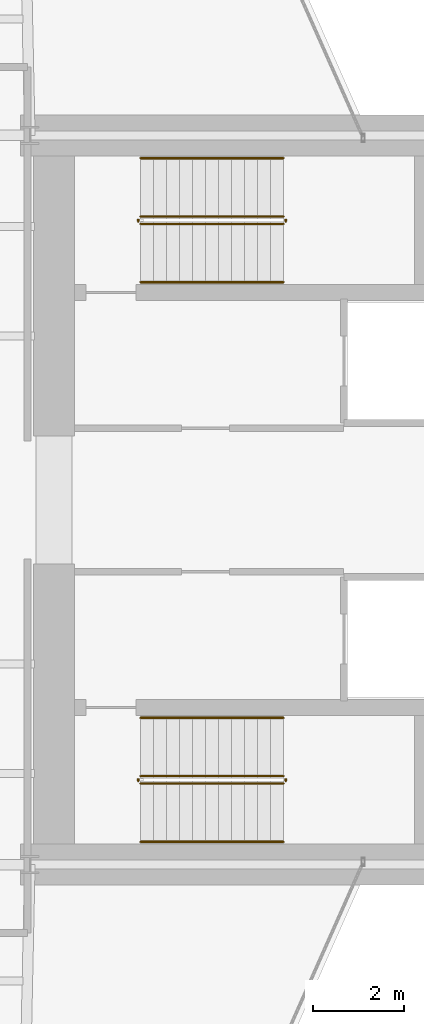
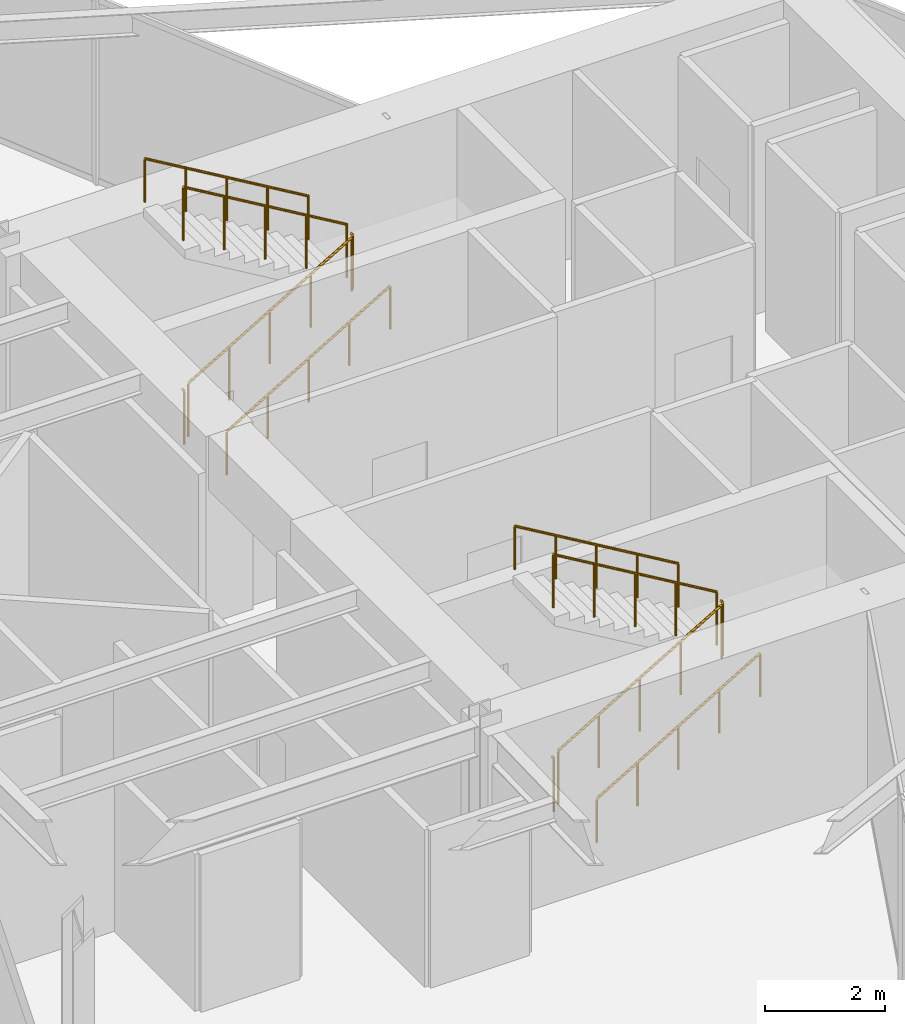
# One storey, part 24 of 24: 12 railings.
"""IFC4 building model written with IfcOpenShell, lengths in metres."""

from ifc_helpers import new_model, si_unit, direction, frame, origin, origin_2d, place, context, subcontext, project, spatial, circle, extrude, material, type_object, element, save


model = new_model("IFC4")

# Units and contexts
model_context = context("Model", 3, precision=1e-05, world=origin(), true_north=direction((0.0, 1.0)))
body_context = subcontext(model_context, "Body", "Model", "MODEL_VIEW")
ifc_project = project(units=[si_unit("LENGTHUNIT", "METRE"), si_unit("AREAUNIT", "SQUARE_METRE"), si_unit("VOLUMEUNIT", "CUBIC_METRE"), si_unit("PLANEANGLEUNIT", "RADIAN"), si_unit("MASSUNIT", "GRAM", prefix="KILO")], contexts=[model_context])

# Site, building, storey
site_placement = place(None, origin())
site = spatial("IfcSite", under=ifc_project, at=site_placement, CompositionType="ELEMENT")
building_placement = place(site_placement, origin())
building = spatial("IfcBuilding", under=site, at=building_placement, Name="Veymaron Broadcast Tower", CompositionType="ELEMENT")
storey_placement = place(building_placement, frame((0.0, 0.0, 98.550048828125)))
storey = spatial("IfcBuildingStorey", under=building, at=storey_placement, Name="L22", CompositionType="ELEMENT", Elevation=98.550048828125)

# Railings
ifc_material_1 = material(Name="Brushed stainless steel AISI 304", Category="steel")
railing_type_1 = type_object("IfcRailingType", Name="RAIL-STAIR-HR", PredefinedType="HANDRAIL", material=ifc_material_1)
railing_1_placement = place(storey_placement, frame((41.429931640625, 28.780029296875, 0.168701171875)))
element("IfcRailing", 1, at=railing_1_placement, inside=storey, type_object=railing_type_1, Name="L22 ST1 stair handrail 1", PredefinedType="HANDRAIL", context=body_context, shape_type="SweptSolid", body=[
    extrude(circle(Radius=0.02392578125, at=origin_2d()), frame((0.0, 0.0, 0.8759765625), z_axis=(0.860481960309, 0.0, 0.509480908359), x_axis=(0.0, 1.0, 0.0)), (0.0, 0.0, 1.0), 3.643310546875),
    extrude(circle(Radius=0.02099609375, at=origin_2d()), origin(), (0.0, 0.0, 1.0), 0.851806640625),
    extrude(circle(Radius=0.02099609375, at=origin_2d()), frame((0.78369140625, 0.0, 0.464111328125)), (0.0, 0.0, 1.0), 0.851806640625),
    extrude(circle(Radius=0.02099609375, at=origin_2d()), frame((1.5673828125, 0.0, 0.92822265625)), (0.0, 0.0, 1.0), 0.851806640625),
    extrude(circle(Radius=0.02099609375, at=origin_2d()), frame((2.351318359375, 0.0, 1.39208984375)), (0.0, 0.0, 1.0), 0.851806640625),
    extrude(circle(Radius=0.02099609375, at=origin_2d()), frame((3.135009765625, 0.0, 1.856201171875)), (0.0, 0.0, 1.0), 0.851806640625),
])
railing_2_placement = place(storey_placement, frame((44.56494140625, 31.5, 2.193603515625)))
element("IfcRailing", 2, at=railing_2_placement, inside=storey, type_object=railing_type_1, Name="L22 ST1 stair handrail 2", PredefinedType="HANDRAIL", context=body_context, shape_type="SweptSolid", body=[
    extrude(circle(Radius=0.02392578125, at=origin_2d()), frame((0.0, 0.0, 0.8759765625), z_axis=(-0.860452582533, 0.0, 0.509530522356), x_axis=(0.0, -1.0, 0.0)), (0.0, 0.0, 1.0), 3.6435546875),
    extrude(circle(Radius=0.02099609375, at=origin_2d()), origin(), (0.0, 0.0, 1.0), 0.851806640625),
    extrude(circle(Radius=0.02099609375, at=origin_2d()), frame((-0.78369140625, 0.0, 0.464111328125)), (0.0, 0.0, 1.0), 0.851806640625),
    extrude(circle(Radius=0.02099609375, at=origin_2d()), frame((-1.5673828125, 0.0, 0.92822265625)), (0.0, 0.0, 1.0), 0.851806640625),
    extrude(circle(Radius=0.02099609375, at=origin_2d()), frame((-2.351318359375, 0.0, 1.392333984375)), (0.0, 0.0, 1.0), 0.851806640625),
    extrude(circle(Radius=0.02099609375, at=origin_2d()), frame((-3.135009765625, 0.0, 1.8564453125)), (0.0, 0.0, 1.0), 0.851806640625),
])
railing_3_placement = place(storey_placement, frame((41.429931640625, 16.5, 0.168701171875)))
element("IfcRailing", 3, at=railing_3_placement, inside=storey, type_object=railing_type_1, Name="L22 ST2 stair handrail 1", PredefinedType="HANDRAIL", context=body_context, shape_type="SweptSolid", body=[
    extrude(circle(Radius=0.02392578125, at=origin_2d()), frame((0.0, 0.0, 0.8759765625), z_axis=(0.860481960309, 0.0, 0.509480908359), x_axis=(0.0, 1.0, 0.0)), (0.0, 0.0, 1.0), 3.643310546875),
    extrude(circle(Radius=0.02099609375, at=origin_2d()), origin(), (0.0, 0.0, 1.0), 0.851806640625),
    extrude(circle(Radius=0.02099609375, at=origin_2d()), frame((0.78369140625, 0.0, 0.464111328125)), (0.0, 0.0, 1.0), 0.851806640625),
    extrude(circle(Radius=0.02099609375, at=origin_2d()), frame((1.5673828125, 0.0, 0.92822265625)), (0.0, 0.0, 1.0), 0.851806640625),
    extrude(circle(Radius=0.02099609375, at=origin_2d()), frame((2.351318359375, 0.0, 1.39208984375)), (0.0, 0.0, 1.0), 0.851806640625),
    extrude(circle(Radius=0.02099609375, at=origin_2d()), frame((3.135009765625, 0.0, 1.856201171875)), (0.0, 0.0, 1.0), 0.851806640625),
])
railing_4_placement = place(storey_placement, frame((44.56494140625, 19.219970703125, 2.193603515625)))
element("IfcRailing", 4, at=railing_4_placement, inside=storey, type_object=railing_type_1, Name="L22 ST2 stair handrail 2", PredefinedType="HANDRAIL", context=body_context, shape_type="SweptSolid", body=[
    extrude(circle(Radius=0.02392578125, at=origin_2d()), frame((0.0, 0.0, 0.8759765625), z_axis=(-0.860452582533, 0.0, 0.509530522356), x_axis=(0.0, -1.0, 0.0)), (0.0, 0.0, 1.0), 3.6435546875),
    extrude(circle(Radius=0.02099609375, at=origin_2d()), origin(), (0.0, 0.0, 1.0), 0.851806640625),
    extrude(circle(Radius=0.02099609375, at=origin_2d()), frame((-0.78369140625, 0.0, 0.464111328125)), (0.0, 0.0, 1.0), 0.851806640625),
    extrude(circle(Radius=0.02099609375, at=origin_2d()), frame((-1.5673828125, 0.0, 0.92822265625)), (0.0, 0.0, 1.0), 0.851806640625),
    extrude(circle(Radius=0.02099609375, at=origin_2d()), frame((-2.351318359375, 0.0, 1.392333984375)), (0.0, 0.0, 1.0), 0.851806640625),
    extrude(circle(Radius=0.02099609375, at=origin_2d()), frame((-3.135009765625, 0.0, 1.8564453125)), (0.0, 0.0, 1.0), 0.851806640625),
])
ifc_material_2 = material(Name="Painted galvanized steel balustrade", Category="steel")
railing_type_2 = type_object("IfcRailingType", Name="RAIL-WELL-GRD", PredefinedType="GUARDRAIL", material=ifc_material_2)
railing_5_placement = place(storey_placement, frame((41.429931640625, 30.06005859375, 0.168701171875)))
element("IfcRailing", 5, at=railing_5_placement, inside=storey, type_object=railing_type_2, Name="L22 ST1 stair guard 1", PredefinedType="GUARDRAIL", context=body_context, shape_type="SweptSolid", body=[
    extrude(circle(Radius=0.02392578125, at=origin_2d()), frame((0.0, 0.0, 1.076171875), z_axis=(0.860481960309, 0.0, 0.509480908359), x_axis=(0.0, 1.0, 0.0)), (0.0, 0.0, 1.0), 3.643310546875),
    extrude(circle(Radius=0.02099609375, at=origin_2d()), origin(), (0.0, 0.0, 1.0), 1.052001953125),
    extrude(circle(Radius=0.02099609375, at=origin_2d()), frame((0.78369140625, 0.0, 0.464111328125)), (0.0, 0.0, 1.0), 1.052001953125),
    extrude(circle(Radius=0.02099609375, at=origin_2d()), frame((1.5673828125, 0.0, 0.92822265625)), (0.0, 0.0, 1.0), 1.052001953125),
    extrude(circle(Radius=0.02099609375, at=origin_2d()), frame((2.351318359375, 0.0, 1.39208984375)), (0.0, 0.0, 1.0), 1.052001953125),
    extrude(circle(Radius=0.02099609375, at=origin_2d()), frame((3.135009765625, 0.0, 1.856201171875)), (0.0, 0.0, 1.0), 1.052001953125),
])
railing_6_placement = place(storey_placement, frame((44.614990234375, 30.110107421875, 2.02490234375)))
element("IfcRailing", 6, at=railing_6_placement, inside=storey, type_object=railing_type_2, Name="L22 ST1 stair guard 2", PredefinedType="GUARDRAIL", context=body_context, shape_type="SweptSolid", body=[
    extrude(circle(Radius=0.02392578125, at=origin_2d()), frame((0.0, 0.0, 1.076171875), z_axis=(0.0, 1.0, 0.0), x_axis=(-1.0, 0.0, 0.0)), (0.0, 0.0, 1.0), 0.059814453125),
    extrude(circle(Radius=0.02099609375, at=origin_2d()), origin(), (0.0, 0.0, 1.0), 1.052001953125),
])
railing_7_placement = place(storey_placement, frame((44.56494140625, 30.219970703125, 2.193603515625)))
element("IfcRailing", 7, at=railing_7_placement, inside=storey, type_object=railing_type_2, Name="L22 ST1 stair guard 3", PredefinedType="GUARDRAIL", context=body_context, shape_type="SweptSolid", body=[
    extrude(circle(Radius=0.02392578125, at=origin_2d()), frame((0.0, 0.0, 1.076171875), z_axis=(-0.860452582533, 0.0, 0.509530522356), x_axis=(0.0, -1.0, 0.0)), (0.0, 0.0, 1.0), 3.6435546875),
    extrude(circle(Radius=0.02099609375, at=origin_2d()), origin(), (0.0, 0.0, 1.0), 1.052001953125),
    extrude(circle(Radius=0.02099609375, at=origin_2d()), frame((-0.78369140625, 0.0, 0.464111328125)), (0.0, 0.0, 1.0), 1.052001953125),
    extrude(circle(Radius=0.02099609375, at=origin_2d()), frame((-1.5673828125, 0.0, 0.92822265625)), (0.0, 0.0, 1.0), 1.052001953125),
    extrude(circle(Radius=0.02099609375, at=origin_2d()), frame((-2.351318359375, 0.0, 1.392333984375)), (0.0, 0.0, 1.0), 1.052001953125),
    extrude(circle(Radius=0.02099609375, at=origin_2d()), frame((-3.135009765625, 0.0, 1.8564453125)), (0.0, 0.0, 1.0), 1.052001953125),
])
railing_8_placement = place(storey_placement, frame((41.3798828125, 30.110107421875, 0.0)))
element("IfcRailing", 8, at=railing_8_placement, inside=storey, type_object=railing_type_2, Name="L22 ST1 stair guard 4", PredefinedType="GUARDRAIL", context=body_context, shape_type="SweptSolid", body=[
    extrude(circle(Radius=0.02392578125, at=origin_2d()), frame((0.0, 0.0, 1.076171875), z_axis=(0.0, 1.0, 0.0), x_axis=(-1.0, 0.0, 0.0)), (0.0, 0.0, 1.0), 0.059814453125),
    extrude(circle(Radius=0.02099609375, at=origin_2d()), origin(), (0.0, 0.0, 1.0), 1.052001953125),
])
railing_9_placement = place(storey_placement, frame((41.429931640625, 17.780029296875, 0.168701171875)))
element("IfcRailing", 9, at=railing_9_placement, inside=storey, type_object=railing_type_2, Name="L22 ST2 stair guard 1", PredefinedType="GUARDRAIL", context=body_context, shape_type="SweptSolid", body=[
    extrude(circle(Radius=0.02392578125, at=origin_2d()), frame((0.0, 0.0, 1.076171875), z_axis=(0.860481960309, 0.0, 0.509480908359), x_axis=(0.0, 1.0, 0.0)), (0.0, 0.0, 1.0), 3.643310546875),
    extrude(circle(Radius=0.02099609375, at=origin_2d()), origin(), (0.0, 0.0, 1.0), 1.052001953125),
    extrude(circle(Radius=0.02099609375, at=origin_2d()), frame((0.78369140625, 0.0, 0.464111328125)), (0.0, 0.0, 1.0), 1.052001953125),
    extrude(circle(Radius=0.02099609375, at=origin_2d()), frame((1.5673828125, 0.0, 0.92822265625)), (0.0, 0.0, 1.0), 1.052001953125),
    extrude(circle(Radius=0.02099609375, at=origin_2d()), frame((2.351318359375, 0.0, 1.39208984375)), (0.0, 0.0, 1.0), 1.052001953125),
    extrude(circle(Radius=0.02099609375, at=origin_2d()), frame((3.135009765625, 0.0, 1.856201171875)), (0.0, 0.0, 1.0), 1.052001953125),
])
railing_10_placement = place(storey_placement, frame((44.614990234375, 17.830078125, 2.02490234375)))
element("IfcRailing", 10, at=railing_10_placement, inside=storey, type_object=railing_type_2, Name="L22 ST2 stair guard 2", PredefinedType="GUARDRAIL", context=body_context, shape_type="SweptSolid", body=[
    extrude(circle(Radius=0.02392578125, at=origin_2d()), frame((0.0, 0.0, 1.076171875), z_axis=(0.0, 1.0, 0.0), x_axis=(-1.0, 0.0, 0.0)), (0.0, 0.0, 1.0), 0.059814453125),
    extrude(circle(Radius=0.02099609375, at=origin_2d()), origin(), (0.0, 0.0, 1.0), 1.052001953125),
])
railing_11_placement = place(storey_placement, frame((44.56494140625, 17.93994140625, 2.193603515625)))
element("IfcRailing", 11, at=railing_11_placement, inside=storey, type_object=railing_type_2, Name="L22 ST2 stair guard 3", PredefinedType="GUARDRAIL", context=body_context, shape_type="SweptSolid", body=[
    extrude(circle(Radius=0.02392578125, at=origin_2d()), frame((0.0, 0.0, 1.076171875), z_axis=(-0.860452582533, 0.0, 0.509530522356), x_axis=(0.0, -1.0, 0.0)), (0.0, 0.0, 1.0), 3.6435546875),
    extrude(circle(Radius=0.02099609375, at=origin_2d()), origin(), (0.0, 0.0, 1.0), 1.052001953125),
    extrude(circle(Radius=0.02099609375, at=origin_2d()), frame((-0.78369140625, 0.0, 0.464111328125)), (0.0, 0.0, 1.0), 1.052001953125),
    extrude(circle(Radius=0.02099609375, at=origin_2d()), frame((-1.5673828125, 0.0, 0.92822265625)), (0.0, 0.0, 1.0), 1.052001953125),
    extrude(circle(Radius=0.02099609375, at=origin_2d()), frame((-2.351318359375, 0.0, 1.392333984375)), (0.0, 0.0, 1.0), 1.052001953125),
    extrude(circle(Radius=0.02099609375, at=origin_2d()), frame((-3.135009765625, 0.0, 1.8564453125)), (0.0, 0.0, 1.0), 1.052001953125),
])
railing_12_placement = place(storey_placement, frame((41.3798828125, 17.830078125, 0.0)))
element("IfcRailing", 12, at=railing_12_placement, inside=storey, type_object=railing_type_2, Name="L22 ST2 stair guard 4", PredefinedType="GUARDRAIL", context=body_context, shape_type="SweptSolid", body=[
    extrude(circle(Radius=0.02392578125, at=origin_2d()), frame((0.0, 0.0, 1.076171875), z_axis=(0.0, 1.0, 0.0), x_axis=(-1.0, 0.0, 0.0)), (0.0, 0.0, 1.0), 0.059814453125),
    extrude(circle(Radius=0.02099609375, at=origin_2d()), origin(), (0.0, 0.0, 1.0), 1.052001953125),
])

save(model, "model.ifc")
